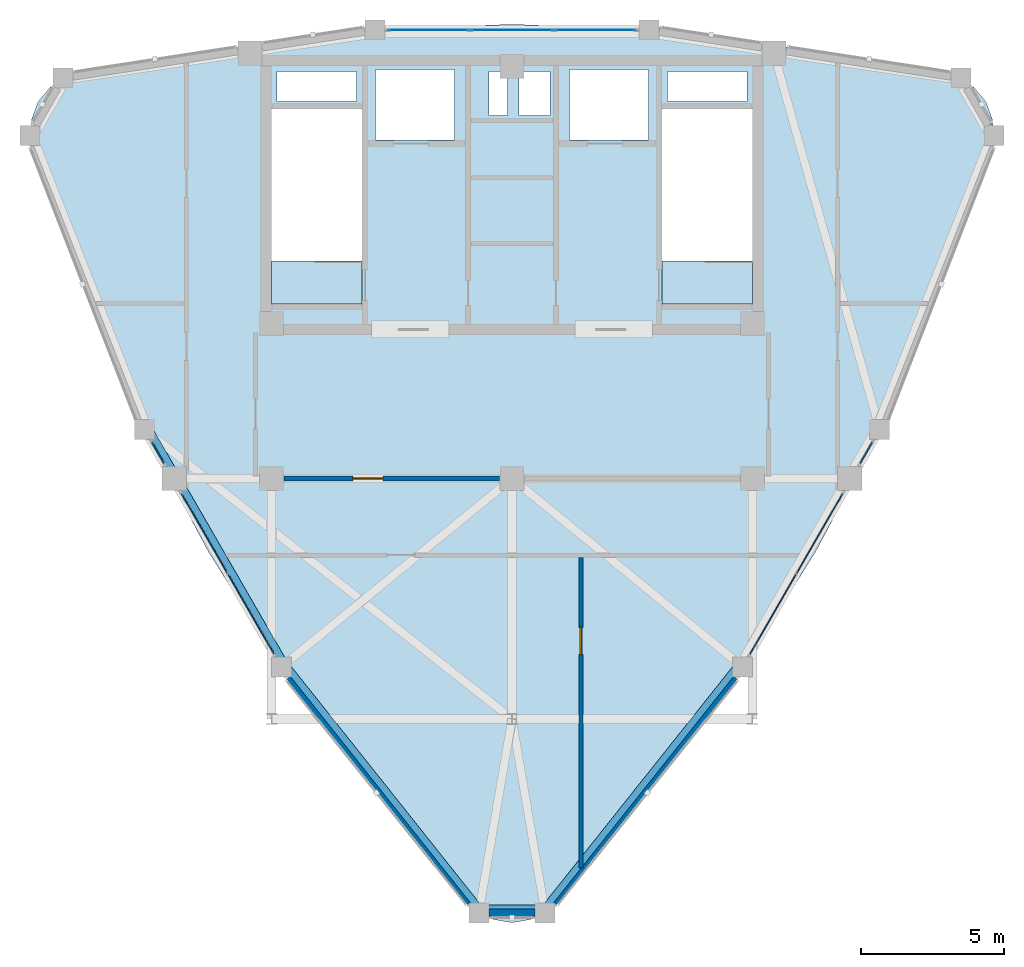
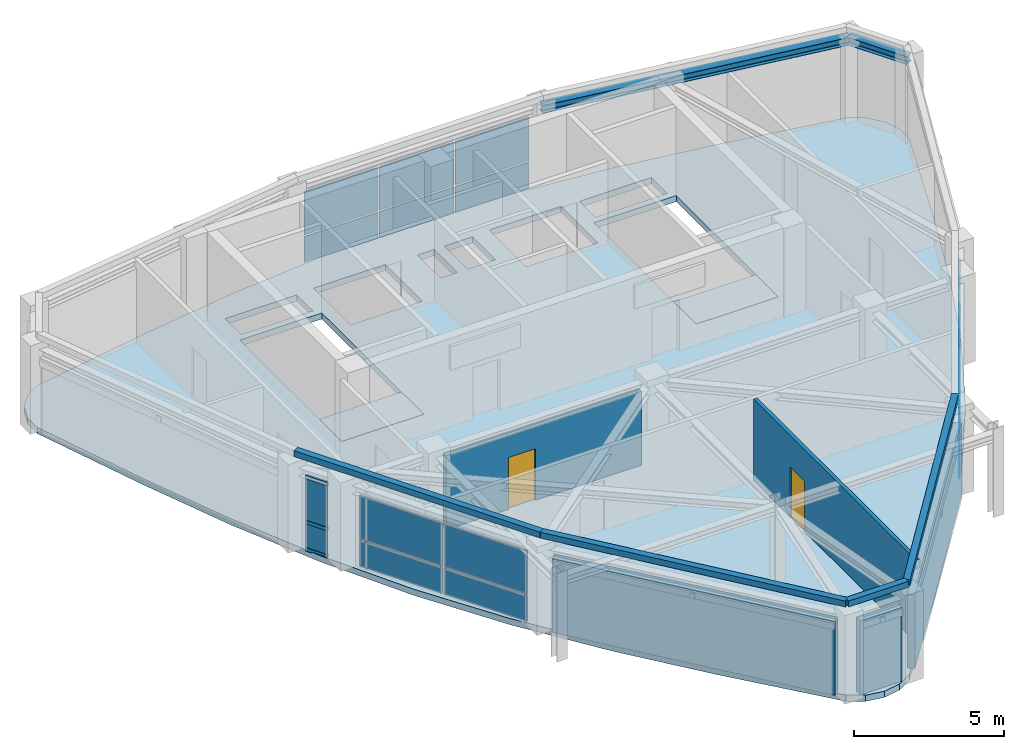
# One storey, part 10 of 13: 18 plates, 9 walls, 6 members, 3 slabs, 2 beams, 2 doors, 2 openings, 5 elements without a shape of their own.
"""IFC4 building model written with IfcOpenShell, lengths in metres."""

from ifc_helpers import new_model, si_unit, derived_unit, direction, frame, frame_2d, origin, origin_2d, place, context, subcontext, project, spatial, polyline, rectangle, hollow_rectangle, i_section, outline, extrude, source, transform, mapped, material, layer, layer_set, material_profile, profile_set, type_object, element, fill, aggregate, save


model = new_model("IFC4")

# Units and contexts
model_context = context("Model", 3, precision=1e-05, world=origin(), true_north=direction((0.0, 1.0)))
body_context = subcontext(model_context, "Body", "Model", "MODEL_VIEW")
ifc_project = project(units=[si_unit("LENGTHUNIT", "METRE"), si_unit("AREAUNIT", "SQUARE_METRE"), si_unit("VOLUMEUNIT", "CUBIC_METRE"), si_unit("PLANEANGLEUNIT", "RADIAN"), si_unit("MASSUNIT", "GRAM", prefix="KILO"), derived_unit("THERMALTRANSMITTANCEUNIT", [(si_unit("POWERUNIT", "WATT"), 1), (si_unit("LENGTHUNIT", "METRE"), -2), (si_unit("THERMODYNAMICTEMPERATUREUNIT", "KELVIN"), -1)])], contexts=[model_context])

# Site, building, storey
site_placement = place(None, origin())
site = spatial("IfcSite", under=ifc_project, at=site_placement, CompositionType="ELEMENT")
building_placement = place(site_placement, origin())
building = spatial("IfcBuilding", under=site, at=building_placement, Name="Korsvarv Bourse and Concert Hall", CompositionType="ELEMENT")
storey_placement = place(building_placement, frame((0.0, 0.0, 296.10009765625)))
storey = spatial("IfcBuildingStorey", under=building, at=storey_placement, Name="L77", CompositionType="ELEMENT", Elevation=296.10009765625)

# Beams
ifc_material_1 = material(Name="Steel S355", Category="steel")
ifc_material_profile_1 = material_profile(ifc_material_1, i_section(OverallWidth=0.300048828125, OverallDepth=0.330078125, WebThickness=0.009521484375, FlangeThickness=0.0166015625, FilletRadius=0.02099609375, at=origin_2d()), Name="HEA 340")
ifc_profile_set_1 = profile_set([ifc_material_profile_1], Name="Steel S355")
beam_type = type_object("IfcBeamType", Name="BM-HEA340", PredefinedType="BEAM", material=ifc_profile_set_1)
shared_shape_1 = source(origin(), body_context, "Body", "SweptSolid", [
    extrude(i_section(OverallWidth=0.300048828125, OverallDepth=0.330078125, WebThickness=0.009521484375, FlangeThickness=0.0166015625, FilletRadius=0.02099609375, at=origin_2d()), origin(), (0.0, 0.0, 1.0), 2.31689453125),
])
beam_1_placement = place(storey_placement, frame((52.83544921875, 44.38232421875, 3.1748046875), z_axis=(-0.499980886083, 0.866036438928, 0.0), x_axis=(-0.866036438928, -0.499980886083, 0.0)))
element("IfcBeam", 1, at=beam_1_placement, inside=storey, type_object=beam_type, Name="L77 beam B-12", PredefinedType="BEAM", context=body_context, shape_type="MappedRepresentation", body=[
    mapped(shared_shape_1, transform((0.0, 0.0, 0.0), scale=1.0)),
])
shared_shape_2 = source(origin(), body_context, "Body", "SweptSolid", [
    extrude(i_section(OverallWidth=0.300048828125, OverallDepth=0.330078125, WebThickness=0.009521484375, FlangeThickness=0.0166015625, FilletRadius=0.02099609375, at=origin_2d()), origin(), (0.0, 0.0, 1.0), 11.015380859375),
])
beam_2_placement = place(storey_placement, frame((51.677001953125, 46.388916015625, 3.1748046875), z_axis=(-0.988357088272, 0.152152114881, 0.0), x_axis=(-0.152152114881, -0.988357088272, 0.0)))
element("IfcBeam", 2, at=beam_2_placement, inside=storey, type_object=beam_type, Name="L77 beam B-12", PredefinedType="BEAM", context=body_context, shape_type="MappedRepresentation", body=[
    mapped(shared_shape_2, transform((0.0, 0.0, 0.0), scale=1.0)),
])

# Curtain wall, members
ifc_material_2 = material(Name="Anodised aluminium and triple low-E glazing", Category="glass")
ifc_layer_1 = layer(ifc_material_2, 0.22998046875)
ifc_layer_set_1 = layer_set([ifc_layer_1], Name="Anodised aluminium and triple low-E glazing")
curtain_wall_type = type_object("IfcCurtainWallType", Name="CW-SYS-6", PredefinedType="NOTDEFINED", material=ifc_layer_set_1)
curtain_wall_1_placement = place(storey_placement, origin())
curtain_wall_1 = element("IfcCurtainWall", 3, at=curtain_wall_1_placement, inside=storey, type_object=curtain_wall_type, Name="L77 CW6 curtain wall CW-L77-CRN07-1", PredefinedType="NOTDEFINED")
ifc_material_3 = material(Name="Extruded aluminium EN AW-6063 T66", Category="aluminium")
ifc_material_profile_2 = material_profile(ifc_material_3, hollow_rectangle(XDim=0.06494140625, YDim=0.139892578125, WallThickness=0.00390625, at=origin_2d()), Name="ALU-T 65x140")
ifc_profile_set_2 = profile_set([ifc_material_profile_2], Name="Extruded aluminium EN AW-6063 T66")
member_type = type_object("IfcMemberType", Name="CWT-140", PredefinedType="USERDEFINED", material=ifc_profile_set_2)
shared_shape_3 = source(origin(), body_context, "Body", "SweptSolid", [
    extrude(hollow_rectangle(XDim=0.06494140625, YDim=0.139892578125, WallThickness=0.00390625, at=origin_2d()), origin(), (0.0, 0.0, 1.0), 0.830810546875),
])
member_1_placement = place(storey_placement, frame((23.42236328125, 33.655029296875, 0.032470703125), z_axis=(0.500120931396, -0.865955572752, 0.0), x_axis=(0.865955572752, 0.500120931396, 0.0)))
member_1 = element("IfcMember", 4, at=member_1_placement, type_object=member_type, Name="CW6 transom 1.1", ObjectType="TRANSOM", PredefinedType="USERDEFINED", context=body_context, shape_type="MappedRepresentation", body=[
    mapped(shared_shape_3, transform((0.0, 0.0, 0.0), scale=1.0)),
])
member_2_placement = place(storey_placement, frame((23.42236328125, 33.655029296875, 1.143798828125), z_axis=(0.500120931396, -0.865955572752, 0.0), x_axis=(0.865955572752, 0.500120931396, 0.0)))
member_2 = element("IfcMember", 5, at=member_2_placement, type_object=member_type, Name="CW6 transom 1.2", ObjectType="TRANSOM", PredefinedType="USERDEFINED", context=body_context, shape_type="MappedRepresentation", body=[
    mapped(shared_shape_3, transform((0.0, 0.0, 0.0), scale=1.0)),
])
member_3_placement = place(storey_placement, frame((23.42236328125, 33.655029296875, 2.977294921875), z_axis=(0.500120931396, -0.865955572752, 0.0), x_axis=(0.865955572752, 0.500120931396, 0.0)))
member_3 = element("IfcMember", 6, at=member_3_placement, type_object=member_type, Name="CW6 transom 1.3", ObjectType="TRANSOM", PredefinedType="USERDEFINED", context=body_context, shape_type="MappedRepresentation", body=[
    mapped(shared_shape_3, transform((0.0, 0.0, 0.0), scale=1.0)),
])

curtain_wall_2_placement = place(storey_placement, origin())
curtain_wall_2 = element("IfcCurtainWall", 7, at=curtain_wall_2_placement, inside=storey, type_object=curtain_wall_type, Name="L77 CW6 curtain wall CW-L77-CRN11-2", PredefinedType="NOTDEFINED")
member_4_placement = place(storey_placement, frame((48.162109375, 32.935546875, 0.032470703125), z_axis=(0.500120931396, 0.865955572752, 0.0), x_axis=(-0.865955572752, 0.500120931396, 0.0)))
member_4 = element("IfcMember", 8, at=member_4_placement, type_object=member_type, Name="CW6 transom 1.1", ObjectType="TRANSOM", PredefinedType="USERDEFINED", context=body_context, shape_type="MappedRepresentation", body=[
    mapped(shared_shape_3, transform((0.0, 0.0, 0.0), scale=1.0)),
])
member_5_placement = place(storey_placement, frame((48.162109375, 32.935546875, 1.143798828125), z_axis=(0.500120931396, 0.865955572752, 0.0), x_axis=(-0.865955572752, 0.500120931396, 0.0)))
member_5 = element("IfcMember", 9, at=member_5_placement, type_object=member_type, Name="CW6 transom 1.2", ObjectType="TRANSOM", PredefinedType="USERDEFINED", context=body_context, shape_type="MappedRepresentation", body=[
    mapped(shared_shape_3, transform((0.0, 0.0, 0.0), scale=1.0)),
])
member_6_placement = place(storey_placement, frame((48.162109375, 32.935546875, 2.977294921875), z_axis=(0.500120931396, 0.865955572752, 0.0), x_axis=(-0.865955572752, 0.500120931396, 0.0)))
member_6 = element("IfcMember", 10, at=member_6_placement, type_object=member_type, Name="CW6 transom 1.3", ObjectType="TRANSOM", PredefinedType="USERDEFINED", context=body_context, shape_type="MappedRepresentation", body=[
    mapped(shared_shape_3, transform((0.0, 0.0, 0.0), scale=1.0)),
])

# Slabs
ifc_material_4 = material(Name="Concrete C45/55", Category="concrete")
ifc_layer_2 = layer(ifc_material_4, 0.25)
ifc_layer_set_2 = layer_set([ifc_layer_2], Name="Concrete C45/55")
slab_type_1 = type_object("IfcSlabType", Name="SLB-CRN", PredefinedType="FLOOR", material=ifc_layer_set_2)
slab_1_placement = place(storey_placement, frame((0.0, 0.0, -0.25)))
element("IfcSlab", 11, at=slab_1_placement, inside=storey, type_object=slab_type_1, Name="L77 tower structural floor slab", PredefinedType="FLOOR", context=body_context, shape_type="SweptSolid", body=[
    extrude(outline(polyline([(52.501708984375, 43.504150390625), (51.218994140625, 39.955078125), (49.857177734375, 36.477294921875), (48.341552734375, 33.10791015625), (46.621337890625, 29.867919921875), (44.675537109375, 26.758056640625), (42.515380859375, 23.7607421875), (40.184326171875, 20.84228515625), (37.752197265625, 17.957275390625), (37.750732421875, 17.955810546875), (37.225341796875, 17.32958984375), (36.652099609375, 16.99853515625), (36.0, 16.883544921875), (35.347900390625, 16.99853515625), (34.774658203125, 17.32958984375), (34.249267578125, 17.955810546875), (34.247802734375, 17.957275390625), (31.815673828125, 20.84228515625), (29.484619140625, 23.7607421875), (27.324462890625, 26.758056640625), (25.378662109375, 29.867919921875), (23.658447265625, 33.10791015625), (22.142822265625, 36.477294921875), (20.781005859375, 39.955078125), (19.498291015625, 43.504150390625), (19.497802734375, 43.506103515625), (19.21826171875, 44.27392578125), (19.21826171875, 44.93603515625), (19.444580078125, 45.55810546875), (19.870361328125, 46.0654296875), (20.443603515625, 46.396484375), (21.24853515625, 46.538330078125), (21.25048828125, 46.538818359375), (24.965087890625, 47.20263671875), (28.658203125, 47.76220703125), (32.333984375, 48.13427734375), (36.0, 48.264404296875), (39.666015625, 48.13427734375), (43.341796875, 47.76220703125), (47.034912109375, 47.20263671875), (50.74951171875, 46.538818359375), (50.75146484375, 46.538330078125), (51.556396484375, 46.396484375), (52.129638671875, 46.0654296875), (52.555419921875, 45.55810546875), (52.78173828125, 44.93603515625), (52.78173828125, 44.27392578125), (52.502197265625, 43.506103515625), (52.501708984375, 43.504150390625)]), holes=[polyline([(30.760009765625, 38.5), (30.760009765625, 45.300048828125), (27.60009765625, 45.300048828125), (27.60009765625, 38.5), (30.760009765625, 38.5)]), polyline([(44.39990234375, 38.5), (44.39990234375, 45.300048828125), (41.239990234375, 45.300048828125), (41.239990234375, 38.5), (44.39990234375, 38.5)]), polyline([(31.239990234375, 44.219970703125), (34.0, 44.219970703125), (34.0, 46.679931640625), (31.239990234375, 46.679931640625), (31.239990234375, 44.219970703125)]), polyline([(38.0, 44.219970703125), (40.760009765625, 44.219970703125), (40.760009765625, 46.679931640625), (38.0, 46.679931640625), (38.0, 44.219970703125)]), polyline([(27.800048828125, 45.56005859375), (30.56005859375, 45.56005859375), (30.56005859375, 46.6201171875), (27.800048828125, 46.6201171875), (27.800048828125, 45.56005859375)]), polyline([(41.43994140625, 45.56005859375), (44.199951171875, 45.56005859375), (44.199951171875, 46.6201171875), (41.43994140625, 46.6201171875), (41.43994140625, 45.56005859375)]), polyline([(35.199951171875, 45.080078125), (35.840087890625, 45.080078125), (35.840087890625, 46.6201171875), (35.199951171875, 46.6201171875), (35.199951171875, 45.080078125)]), polyline([(36.239990234375, 45.080078125), (37.320068359375, 45.080078125), (37.320068359375, 46.6201171875), (36.239990234375, 46.6201171875), (36.239990234375, 45.080078125)])]), origin(), (0.0, 0.0, 1.0), 0.25),
])
ifc_material_5 = material(Name="Precast concrete C45/55", Category="concrete")
ifc_layer_3 = layer(ifc_material_5, 0.199951171875)
ifc_layer_set_3 = layer_set([ifc_layer_3], Name="Precast concrete C45/55")
slab_type_2 = type_object("IfcSlabType", Name="SLB-FLND-T", PredefinedType="LANDING", material=ifc_layer_set_3)
slab_2_placement = place(storey_placement, frame((0.0, 0.0, -0.2001953125)))
element("IfcSlab", 12, at=slab_2_placement, inside=storey, type_object=slab_type_2, Name="L77 Stair ST-T1 Floor Landing Slab", PredefinedType="LANDING", context=body_context, shape_type="SweptSolid", body=[
    extrude(outline(polyline([(30.760009765625, 38.5), (30.760009765625, 40.0), (27.60009765625, 40.0), (27.60009765625, 38.5), (30.760009765625, 38.5)])), origin(), (0.0, 0.0, 1.0), 0.2001953125),
])
slab_3_placement = place(storey_placement, frame((0.0, 0.0, -0.2001953125)))
element("IfcSlab", 13, at=slab_3_placement, inside=storey, type_object=slab_type_2, Name="L77 Stair ST-T2 Floor Landing Slab", PredefinedType="LANDING", context=body_context, shape_type="SweptSolid", body=[
    extrude(outline(polyline([(44.39990234375, 38.5), (44.39990234375, 40.0), (41.239990234375, 40.0), (41.239990234375, 38.5), (44.39990234375, 38.5)])), origin(), (0.0, 0.0, 1.0), 0.2001953125),
])

# Curtain wall, plates
curtain_wall_3_placement = place(storey_placement, origin())
curtain_wall_3 = element("IfcCurtainWall", 14, at=curtain_wall_3_placement, inside=storey, type_object=curtain_wall_type, Name="L77 CW6 curtain wall CW-L77-CRN03", PredefinedType="NOTDEFINED")
ifc_material_6 = material(Name="Insulated spandrel glass", Category="glass")
ifc_layer_4 = layer(ifc_material_6, 0.031982421875)
ifc_layer_set_4 = layer_set([ifc_layer_4], Name="Insulated spandrel glass")
plate_type = type_object("IfcPlateType", Name="CWP-SPD1", PredefinedType="CURTAIN_PANEL", material=ifc_layer_set_4)
shared_shape_4 = source(origin(), body_context, "Body", "SweptSolid", [
    extrude(rectangle(XDim=2.821533203125, YDim=0.031982421875, at=origin_2d()), origin(), (0.0, 0.0, 1.0), 1.04638671875),
])
plate_1_placement = place(storey_placement, frame((38.908935546875, 48.06494140625, 0.06494140625), z_axis=(0.0, 0.0, 1.0), x_axis=(-1.0, 0.0, 0.0)))
plate_1 = element("IfcPlate", 15, at=plate_1_placement, type_object=plate_type, Name="CW6 panel 1.1", PredefinedType="CURTAIN_PANEL", context=body_context, shape_type="MappedRepresentation", body=[
    mapped(shared_shape_4, transform((0.0, 0.0, 0.0), scale=1.0)),
])
plate_2_placement = place(storey_placement, frame((33.091064453125, 48.06494140625, 0.06494140625), z_axis=(0.0, 0.0, 1.0), x_axis=(-1.0, 0.0, 0.0)))
plate_2 = element("IfcPlate", 16, at=plate_2_placement, type_object=plate_type, Name="CW6 panel 3.1", PredefinedType="CURTAIN_PANEL", context=body_context, shape_type="MappedRepresentation", body=[
    mapped(shared_shape_4, transform((0.0, 0.0, 0.0), scale=1.0)),
])
shared_shape_5 = source(origin(), body_context, "Body", "SweptSolid", [
    extrude(rectangle(XDim=2.821533203125, YDim=0.031982421875, at=origin_2d()), origin(), (0.0, 0.0, 1.0), 1.768798828125),
])
plate_3_placement = place(storey_placement, frame((38.908935546875, 48.06494140625, 1.17626953125), z_axis=(0.0, 0.0, 1.0), x_axis=(-1.0, 0.0, 0.0)))
plate_3 = element("IfcPlate", 17, at=plate_3_placement, type_object=plate_type, Name="CW6 panel 1.2", PredefinedType="CURTAIN_PANEL", context=body_context, shape_type="MappedRepresentation", body=[
    mapped(shared_shape_5, transform((0.0, 0.0, 0.0), scale=1.0)),
])
plate_4_placement = place(storey_placement, frame((33.091064453125, 48.06494140625, 1.17626953125), z_axis=(0.0, 0.0, 1.0), x_axis=(-1.0, 0.0, 0.0)))
plate_4 = element("IfcPlate", 18, at=plate_4_placement, type_object=plate_type, Name="CW6 panel 3.2", PredefinedType="CURTAIN_PANEL", context=body_context, shape_type="MappedRepresentation", body=[
    mapped(shared_shape_5, transform((0.0, 0.0, 0.0), scale=1.0)),
])
shared_shape_6 = source(origin(), body_context, "Body", "SweptSolid", [
    extrude(rectangle(XDim=2.8564453125, YDim=0.031982421875, at=origin_2d()), origin(), (0.0, 0.0, 1.0), 1.04638671875),
])
plate_5_placement = place(storey_placement, frame((36.0, 48.06494140625, 0.06494140625), z_axis=(0.0, 0.0, 1.0), x_axis=(-1.0, 0.0, 0.0)))
plate_5 = element("IfcPlate", 19, at=plate_5_placement, type_object=plate_type, Name="CW6 panel 2.1", PredefinedType="CURTAIN_PANEL", context=body_context, shape_type="MappedRepresentation", body=[
    mapped(shared_shape_6, transform((0.0, 0.0, 0.0), scale=1.0)),
])
shared_shape_7 = source(origin(), body_context, "Body", "SweptSolid", [
    extrude(rectangle(XDim=2.8564453125, YDim=0.031982421875, at=origin_2d()), origin(), (0.0, 0.0, 1.0), 1.768798828125),
])
plate_6_placement = place(storey_placement, frame((36.0, 48.06494140625, 1.17626953125), z_axis=(0.0, 0.0, 1.0), x_axis=(-1.0, 0.0, 0.0)))
plate_6 = element("IfcPlate", 20, at=plate_6_placement, type_object=plate_type, Name="CW6 panel 2.2", PredefinedType="CURTAIN_PANEL", context=body_context, shape_type="MappedRepresentation", body=[
    mapped(shared_shape_7, transform((0.0, 0.0, 0.0), scale=1.0)),
])
aggregate(curtain_wall_3, [plate_1, plate_3, plate_5, plate_6, plate_2, plate_4])

# Plate
shared_shape_8 = source(origin(), body_context, "Body", "SweptSolid", [
    extrude(rectangle(XDim=0.83056640625, YDim=0.031982421875, at=origin_2d()), origin(), (0.0, 0.0, 1.0), 1.04638671875),
])
plate_7_placement = place(storey_placement, frame((23.630126953125, 33.29541015625, 0.06494140625), z_axis=(0.0, 0.0, 1.0), x_axis=(0.500061319403, -0.865989998116, 0.0)))
plate_7 = element("IfcPlate", 21, at=plate_7_placement, type_object=plate_type, Name="CW6 panel 1.1", PredefinedType="CURTAIN_PANEL", context=body_context, shape_type="MappedRepresentation", body=[
    mapped(shared_shape_8, transform((0.0, 0.0, 0.0), scale=1.0)),
])

plate_8_placement = place(storey_placement, frame((48.369873046875, 33.29541015625, 0.06494140625), z_axis=(0.0, 0.0, 1.0), x_axis=(0.500061319403, 0.865989998116, 0.0)))
plate_8 = element("IfcPlate", 22, at=plate_8_placement, type_object=plate_type, Name="CW6 panel 1.1", PredefinedType="CURTAIN_PANEL", context=body_context, shape_type="MappedRepresentation", body=[
    mapped(shared_shape_8, transform((0.0, 0.0, 0.0), scale=1.0)),
])

shared_shape_9 = source(origin(), body_context, "Body", "SweptSolid", [
    extrude(rectangle(XDim=0.83056640625, YDim=0.031982421875, at=origin_2d()), origin(), (0.0, 0.0, 1.0), 1.768798828125),
])
plate_9_placement = place(storey_placement, frame((23.630126953125, 33.29541015625, 1.17626953125), z_axis=(0.0, 0.0, 1.0), x_axis=(0.500061319403, -0.865989998116, 0.0)))
plate_9 = element("IfcPlate", 23, at=plate_9_placement, type_object=plate_type, Name="CW6 panel 1.2", PredefinedType="CURTAIN_PANEL", context=body_context, shape_type="MappedRepresentation", body=[
    mapped(shared_shape_9, transform((0.0, 0.0, 0.0), scale=1.0)),
])

aggregate(curtain_wall_1, [member_1, member_2, member_3, plate_7, plate_9])

plate_10_placement = place(storey_placement, frame((48.369873046875, 33.29541015625, 1.17626953125), z_axis=(0.0, 0.0, 1.0), x_axis=(0.500061319403, 0.865989998116, 0.0)))
plate_10 = element("IfcPlate", 24, at=plate_10_placement, type_object=plate_type, Name="CW6 panel 1.2", PredefinedType="CURTAIN_PANEL", context=body_context, shape_type="MappedRepresentation", body=[
    mapped(shared_shape_9, transform((0.0, 0.0, 0.0), scale=1.0)),
])

aggregate(curtain_wall_2, [member_4, member_5, member_6, plate_8, plate_10])

# Curtain wall, plates
curtain_wall_4_placement = place(storey_placement, origin())
curtain_wall_4 = element("IfcCurtainWall", 25, at=curtain_wall_4_placement, inside=storey, type_object=curtain_wall_type, Name="L77 CW6 curtain wall CW-L77-CRN07-2", PredefinedType="NOTDEFINED")
shared_shape_10 = source(origin(), body_context, "Body", "SweptSolid", [
    extrude(rectangle(XDim=3.189208984375, YDim=0.031982421875, at=origin_2d()), origin(), (0.0, 0.0, 1.0), 1.04638671875),
])
plate_11_placement = place(storey_placement, frame((25.253662109375, 30.4833984375, 0.06494140625), z_axis=(0.0, 0.0, 1.0), x_axis=(0.500008003278, -0.866020783041, 0.0)))
plate_11 = element("IfcPlate", 26, at=plate_11_placement, type_object=plate_type, Name="CW6 panel 1.1", PredefinedType="CURTAIN_PANEL", context=body_context, shape_type="MappedRepresentation", body=[
    mapped(shared_shape_10, transform((0.0, 0.0, 0.0), scale=1.0)),
])
plate_12_placement = place(storey_placement, frame((26.88330078125, 27.660888671875, 0.06494140625), z_axis=(0.0, 0.0, 1.0), x_axis=(0.500008003278, -0.866020783041, 0.0)))
plate_12 = element("IfcPlate", 27, at=plate_12_placement, type_object=plate_type, Name="CW6 panel 2.1", PredefinedType="CURTAIN_PANEL", context=body_context, shape_type="MappedRepresentation", body=[
    mapped(shared_shape_10, transform((0.0, 0.0, 0.0), scale=1.0)),
])

curtain_wall_5_placement = place(storey_placement, origin())
curtain_wall_5 = element("IfcCurtainWall", 28, at=curtain_wall_5_placement, inside=storey, type_object=curtain_wall_type, Name="L77 CW6 curtain wall CW-L77-CRN11-1", PredefinedType="NOTDEFINED")
plate_13_placement = place(storey_placement, frame((45.11669921875, 27.660888671875, 0.06494140625), z_axis=(0.0, 0.0, 1.0), x_axis=(0.500008003278, 0.866020783041, 0.0)))
plate_13 = element("IfcPlate", 29, at=plate_13_placement, type_object=plate_type, Name="CW6 panel 1.1", PredefinedType="CURTAIN_PANEL", context=body_context, shape_type="MappedRepresentation", body=[
    mapped(shared_shape_10, transform((0.0, 0.0, 0.0), scale=1.0)),
])
plate_14_placement = place(storey_placement, frame((46.746337890625, 30.4833984375, 0.06494140625), z_axis=(0.0, 0.0, 1.0), x_axis=(0.500008003278, 0.866020783041, 0.0)))
plate_14 = element("IfcPlate", 30, at=plate_14_placement, type_object=plate_type, Name="CW6 panel 2.1", PredefinedType="CURTAIN_PANEL", context=body_context, shape_type="MappedRepresentation", body=[
    mapped(shared_shape_10, transform((0.0, 0.0, 0.0), scale=1.0)),
])

# Plate
shared_shape_11 = source(origin(), body_context, "Body", "SweptSolid", [
    extrude(rectangle(XDim=3.189208984375, YDim=0.031982421875, at=origin_2d()), origin(), (0.0, 0.0, 1.0), 1.768798828125),
])
plate_15_placement = place(storey_placement, frame((25.253662109375, 30.4833984375, 1.17626953125), z_axis=(0.0, 0.0, 1.0), x_axis=(0.500008003278, -0.866020783041, 0.0)))
plate_15 = element("IfcPlate", 31, at=plate_15_placement, type_object=plate_type, Name="CW6 panel 1.2", PredefinedType="CURTAIN_PANEL", context=body_context, shape_type="MappedRepresentation", body=[
    mapped(shared_shape_11, transform((0.0, 0.0, 0.0), scale=1.0)),
])

plate_16_placement = place(storey_placement, frame((26.88330078125, 27.660888671875, 1.17626953125), z_axis=(0.0, 0.0, 1.0), x_axis=(0.500008003278, -0.866020783041, 0.0)))
plate_16 = element("IfcPlate", 32, at=plate_16_placement, type_object=plate_type, Name="CW6 panel 2.2", PredefinedType="CURTAIN_PANEL", context=body_context, shape_type="MappedRepresentation", body=[
    mapped(shared_shape_11, transform((0.0, 0.0, 0.0), scale=1.0)),
])

aggregate(curtain_wall_4, [plate_11, plate_15, plate_12, plate_16])

plate_17_placement = place(storey_placement, frame((45.11669921875, 27.660888671875, 1.17626953125), z_axis=(0.0, 0.0, 1.0), x_axis=(0.500008003278, 0.866020783041, 0.0)))
plate_17 = element("IfcPlate", 33, at=plate_17_placement, type_object=plate_type, Name="CW6 panel 1.2", PredefinedType="CURTAIN_PANEL", context=body_context, shape_type="MappedRepresentation", body=[
    mapped(shared_shape_11, transform((0.0, 0.0, 0.0), scale=1.0)),
])

plate_18_placement = place(storey_placement, frame((46.746337890625, 30.4833984375, 1.17626953125), z_axis=(0.0, 0.0, 1.0), x_axis=(0.500008003278, 0.866020783041, 0.0)))
plate_18 = element("IfcPlate", 34, at=plate_18_placement, type_object=plate_type, Name="CW6 panel 2.2", PredefinedType="CURTAIN_PANEL", context=body_context, shape_type="MappedRepresentation", body=[
    mapped(shared_shape_11, transform((0.0, 0.0, 0.0), scale=1.0)),
])

aggregate(curtain_wall_5, [plate_13, plate_17, plate_14, plate_18])

# Walls
ifc_material_7 = material(Name="Insulated aluminium and terracotta crown enclosure wall", Category="concrete")
ifc_layer_5 = layer(ifc_material_7, 0.260009765625)
ifc_layer_set_5 = layer_set([ifc_layer_5], Name="Insulated aluminium and terracotta crown enclosure wall")
wall_type_1 = type_object("IfcWallType", Name="WL-EXT-CRN", PredefinedType="SOLIDWALL", material=ifc_layer_set_5)
wall_1_placement = place(storey_placement, frame((28.231201171875, 25.46435546875, 0.0), z_axis=(0.0, 0.0, 1.0), x_axis=(0.62595820312, -0.779856607299, 0.0)))
element("IfcWall", 35, at=wall_1_placement, inside=storey, type_object=wall_type_1, Name="L77 terracotta exterior wall EW-L77-CRN08", PredefinedType="SOLIDWALL", context=body_context, shape_type="SweptSolid", body=[
    extrude(rectangle(XDim=10.105224609375, YDim=0.260009765625, at=frame_2d((5.052734375, 0.0))), origin(), (0.0, 0.0, 1.0), 3.010009765625),
])
wall_2_placement = place(storey_placement, frame((35.196533203125, 17.228759765625, 0.0), z_axis=(0.0, 0.0, 1.0), x_axis=(1.0, 0.0, 0.0)))
element("IfcWall", 36, at=wall_2_placement, inside=storey, type_object=wall_type_1, Name="L77 terracotta exterior wall EW-L77-CRN09", PredefinedType="SOLIDWALL", context=body_context, shape_type="SweptSolid", body=[
    extrude(rectangle(XDim=1.60693359375, YDim=0.260009765625, at=frame_2d((0.803466796875, 0.0))), origin(), (0.0, 0.0, 1.0), 3.010009765625),
])
wall_3_placement = place(storey_placement, frame((37.443359375, 17.583740234375, 0.0), z_axis=(0.0, 0.0, 1.0), x_axis=(0.62595820312, 0.779856607299, 0.0)))
element("IfcWall", 37, at=wall_3_placement, inside=storey, type_object=wall_type_1, Name="L77 terracotta exterior wall EW-L77-CRN10", PredefinedType="SOLIDWALL", context=body_context, shape_type="SweptSolid", body=[
    extrude(rectangle(XDim=10.105224609375, YDim=0.260009765625, at=frame_2d((5.052734375, 0.0))), origin(), (0.0, 0.0, 1.0), 3.010009765625),
])

# Wall, opening, door
ifc_material_8 = material(Name="Gypsum-clad autoclaved concrete shaft wall C30/37", Category="concrete")
ifc_layer_6 = layer(ifc_material_8, 0.179931640625)
ifc_layer_set_6 = layer_set([ifc_layer_6], Name="Gypsum-clad autoclaved concrete shaft wall C30/37")
wall_type_2 = type_object("IfcWallType", Name="WL-INT-EI90", PredefinedType="PARTITIONING", material=ifc_layer_set_6)
wall_4_placement = place(storey_placement, frame((28.0400390625, 32.39990234375, 0.0), z_axis=(0.0, 0.0, 1.0), x_axis=(1.0, 0.0, 0.0)))
wall_4 = element("IfcWall", 38, at=wall_4_placement, inside=storey, type_object=wall_type_2, Name="L77 interior partition wall W-L77-CB-SO", PredefinedType="PARTITIONING", context=body_context, shape_type="SweptSolid", body=[
    extrude(rectangle(XDim=7.52001953125, YDim=0.179931640625, at=frame_2d((3.760009765625, 0.0))), origin(), (0.0, 0.0, 1.0), 3.010009765625),
])
opening_1_placement = place(wall_4_placement, frame((2.39990234375, 0.0, 0.0)))
opening_1 = element("IfcOpeningElement", 39, at=opening_1_placement, cuts=wall_4, Name="Opening D-01", PredefinedType="OPENING", context=body_context, shape_type="SweptSolid", body=[
    extrude(rectangle(XDim=1.050048828125, YDim=2.10009765625, at=frame_2d((0.52490234375, 1.050048828125))), frame((0.0, 0.10009765625, 0.0), z_axis=(0.0, -1.0, 0.0), x_axis=(1.0, 0.0, 0.0)), (0.0, 0.0, 1.0), 0.199951171875),
])
ifc_material_9 = material(Name="Steel S355 fire door", Category="steel")
door_type_1 = type_object("IfcDoorType", Name="DR-FD60", OperationType="NOTDEFINED", PredefinedType="DOOR", material=ifc_material_9)
door_1_placement = place(opening_1_placement, frame((1.050048828125, 0.0, 0.0), z_axis=(0.0, 0.0, 1.0), x_axis=(-1.0, 0.0, 0.0)))
door_1 = element("IfcDoor", 40, at=door_1_placement, inside=storey, type_object=door_type_1, Name="L77 interior door DR-L77-CLOB-S", OperationType="SINGLE_SWING_LEFT", OverallHeight=2.10009765625, OverallWidth=1.050048828125, PredefinedType="DOOR", context=body_context, shape_type="SweptSolid", body=[
    extrude(rectangle(XDim=1.050048828125, YDim=2.10009765625, at=frame_2d((0.52490234375, 1.050048828125))), frame((0.0, 0.02490234375, 0.0), z_axis=(0.0, -1.0, 0.0), x_axis=(1.0, 0.0, 0.0)), (0.0, 0.0, 1.0), 0.050048828125),
])
fill(opening_1, door_1)

ifc_material_10 = material(Name="Insulated steel-stud office acoustic partition", Category="gypsum")
ifc_layer_7 = layer(ifc_material_10, 0.139892578125)
ifc_layer_set_7 = layer_set([ifc_layer_7], Name="Insulated steel-stud office acoustic partition")
wall_type_3 = type_object("IfcWallType", Name="WL-INT-P1", PredefinedType="PARTITIONING", material=ifc_layer_set_7)
wall_5_placement = place(storey_placement, frame((38.405029296875, 18.802001953125, 0.0), z_axis=(0.0, 0.0, 1.0), x_axis=(0.0, 1.0, 0.0)))
wall_5 = element("IfcWall", 41, at=wall_5_placement, inside=storey, type_object=wall_type_3, Name="L77 interior partition wall W-L77-CCOR-04", PredefinedType="PARTITIONING", context=body_context, shape_type="SweptSolid", body=[
    extrude(rectangle(XDim=10.841064453125, YDim=0.139892578125, at=frame_2d((5.42041015625, 0.0))), origin(), (0.0, 0.0, 1.0), 3.33984375),
])
opening_2_placement = place(wall_5_placement, frame((7.451416015625, 0.0, 0.0)))
opening_2 = element("IfcOpeningElement", 42, at=opening_2_placement, cuts=wall_5, Name="Opening D-03", PredefinedType="OPENING", context=body_context, shape_type="SweptSolid", body=[
    extrude(rectangle(XDim=0.949951171875, YDim=2.050048828125, at=frame_2d((0.47509765625, 1.02490234375))), frame((0.0, 0.080078125, 0.0), z_axis=(0.0, -1.0, 0.0), x_axis=(1.0, 0.0, 0.0)), (0.0, 0.0, 1.0), 0.159912109375),
])
ifc_material_11 = material(Name="Nordic oak acoustic office door", Category="wood")
door_type_2 = type_object("IfcDoorType", Name="DR-INT-1", OperationType="NOTDEFINED", PredefinedType="DOOR", material=ifc_material_11)
door_2_placement = place(opening_2_placement, origin())
door_2 = element("IfcDoor", 43, at=door_2_placement, inside=storey, type_object=door_type_2, Name="L77 interior door DR-L77-CCOR-CPL44", OperationType="SINGLE_SWING_LEFT", OverallHeight=2.050048828125, OverallWidth=0.949951171875, PredefinedType="DOOR", context=body_context, shape_type="SweptSolid", body=[
    extrude(rectangle(XDim=0.949951171875, YDim=2.050048828125, at=frame_2d((0.47509765625, 1.02490234375))), frame((0.0, 0.02490234375, 0.0), z_axis=(0.0, -1.0, 0.0), x_axis=(1.0, 0.0, 0.0)), (0.0, 0.0, 1.0), 0.050048828125),
])
fill(opening_2, door_2)

# Walls
ifc_material_12 = material(Name="Precast concrete C45/55 roof parapet wall", Category="concrete")
ifc_layer_8 = layer(ifc_material_12, 0.239990234375)
ifc_layer_set_8 = layer_set([ifc_layer_8], Name="Precast concrete C45/55 roof parapet wall")
wall_type_4 = type_object("IfcWallType", Name="WL-PAR-240", PredefinedType="PARAPET", material=ifc_layer_set_8)
wall_6_placement = place(storey_placement, frame((23.314697265625, 34.138916015625, 3.599853515625), z_axis=(0.0, 0.0, 1.0), x_axis=(0.500007603729, -0.866021013725, 0.0)))
element("IfcWall", 44, at=wall_6_placement, inside=storey, type_object=wall_type_4, Name="L77 Crown Roof Perimeter Parapet Upstand 7", PredefinedType="PARAPET", context=body_context, shape_type="SweptSolid", body=[
    extrude(rectangle(XDim=9.461669921875, YDim=0.239990234375, at=frame_2d((4.73095703125, 0.0))), origin(), (0.0, 0.0, 1.0), 0.239990234375),
])
wall_7_placement = place(storey_placement, frame((28.045654296875, 25.94482421875, 3.599853515625), z_axis=(0.0, 0.0, 1.0), x_axis=(0.622505848244, -0.782615147376, 0.0)))
element("IfcWall", 45, at=wall_7_placement, inside=storey, type_object=wall_type_4, Name="L77 Crown Roof Perimeter Parapet Upstand 8", PredefinedType="PARAPET", context=body_context, shape_type="SweptSolid", body=[
    extrude(rectangle(XDim=10.93310546875, YDim=0.239990234375, at=frame_2d((5.466552734375, 0.0))), origin(), (0.0, 0.0, 1.0), 0.239990234375),
])
wall_8_placement = place(storey_placement, frame((34.8515625, 17.388427734375, 3.599853515625), z_axis=(0.0, 0.0, 1.0), x_axis=(1.0, 0.0, 0.0)))
element("IfcWall", 46, at=wall_8_placement, inside=storey, type_object=wall_type_4, Name="L77 Crown Roof Perimeter Parapet Upstand 9", PredefinedType="PARAPET", context=body_context, shape_type="SweptSolid", body=[
    extrude(rectangle(XDim=2.296875, YDim=0.239990234375, at=frame_2d((1.1484375, 0.0))), origin(), (0.0, 0.0, 1.0), 0.239990234375),
])
wall_9_placement = place(storey_placement, frame((37.1484375, 17.388427734375, 3.599853515625), z_axis=(0.0, 0.0, 1.0), x_axis=(0.622505848244, 0.782615147376, 0.0)))
element("IfcWall", 47, at=wall_9_placement, inside=storey, type_object=wall_type_4, Name="L77 Crown Roof Perimeter Parapet Upstand 10", PredefinedType="PARAPET", context=body_context, shape_type="SweptSolid", body=[
    extrude(rectangle(XDim=10.93310546875, YDim=0.239990234375, at=frame_2d((5.466552734375, 0.0))), origin(), (0.0, 0.0, 1.0), 0.239990234375),
])

save(model, "model.ifc")
